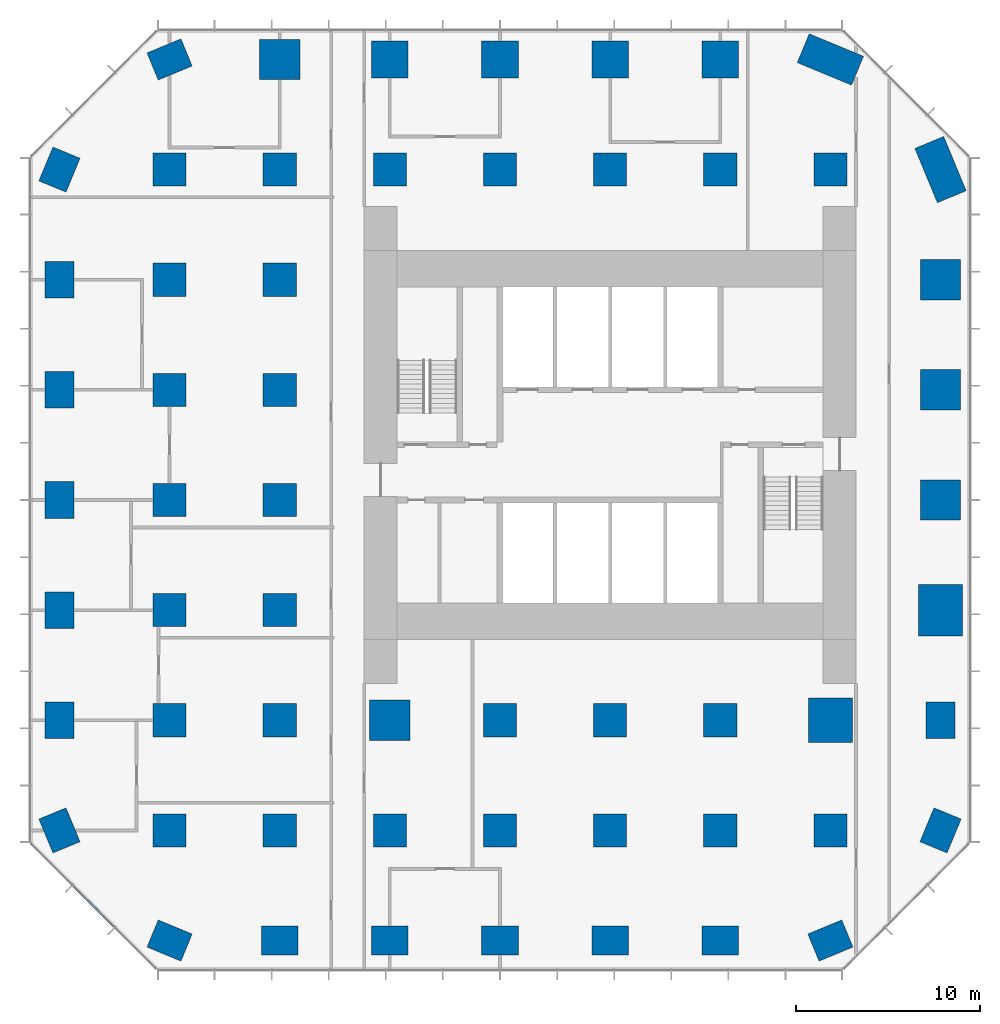
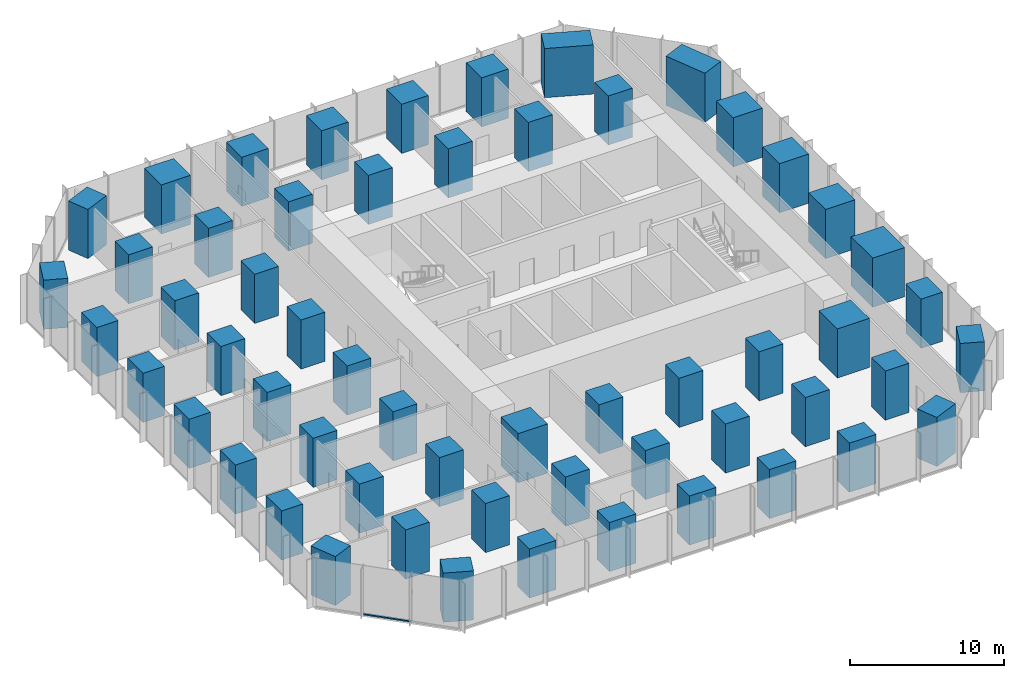
# One storey, part 1 of 11: 57 columns, 1 member, 1 element without a shape of its own.
"""IFC4 building model written with IfcOpenShell, lengths in metres."""

from ifc_helpers import new_model, si_unit, direction, frame, origin, origin_2d, place, context, subcontext, project, spatial, rectangle, extrude, material, layer, layer_set, material_profile, profile_set, type_object, element, aggregate, save


model = new_model("IFC4")

# Units and contexts
model_context = context("Model", 3, precision=1e-05, world=origin(), true_north=direction((0.0, 1.0)))
body_context = subcontext(model_context, "Body", "Model", "MODEL_VIEW")
ifc_project = project(units=[si_unit("LENGTHUNIT", "METRE"), si_unit("AREAUNIT", "SQUARE_METRE"), si_unit("VOLUMEUNIT", "CUBIC_METRE"), si_unit("PLANEANGLEUNIT", "RADIAN"), si_unit("MASSUNIT", "GRAM", prefix="KILO")], contexts=[model_context])

# Site, building, storey
site_placement = place(None, origin())
site = spatial("IfcSite", under=ifc_project, at=site_placement, CompositionType="ELEMENT")
building_placement = place(site_placement, origin())
building = spatial("IfcBuilding", under=site, at=building_placement, Name="Highveld Stack Headquarters", CompositionType="ELEMENT")
storey_placement = place(building_placement, frame((0.0, 0.0, 29.89990234375)))
storey = spatial("IfcBuildingStorey", under=building, at=storey_placement, Name="L06", CompositionType="ELEMENT", Elevation=29.89990234375)

# Columns
ifc_material_1 = material(Name="Concrete C60/75", Category="concrete")
ifc_material_profile_1 = material_profile(ifc_material_1, rectangle(XDim=1.800048828125, YDim=1.800048828125, at=origin_2d()), Name="RC 1800x1800")
ifc_profile_set_1 = profile_set([ifc_material_profile_1], Name="Concrete C60/75")
column_type_1 = type_object("IfcColumnType", Name="COLUMN RC 1800x1800 C60/75", PredefinedType="COLUMN", material=ifc_profile_set_1)
for number, where, z_axis, x_axis, name in (
    (1, (-18.0, -18.0, 0.0), (0.0, 0.0, 1.0), (1.0, 0.0, 0.0), "Column 3/B L06"),
    (2, (-18.0, -12.0, 0.0), (0.0, 0.0, 1.0), (1.0, 0.0, 0.0), "Column 3/C L06"),
    (3, (-18.0, -6.0, 0.0), (0.0, 0.0, 1.0), (1.0, 0.0, 0.0), "Column 3/D L06"),
    (4, (-18.0, 0.0, 0.0), (0.0, 0.0, 1.0), (1.0, 0.0, 0.0), "Column 3/E L06"),
    (5, (-18.0, 6.0, 0.0), (0.0, 0.0, 1.0), (1.0, 0.0, 0.0), "Column 3/F L06"),
    (6, (-18.0, 12.0, 0.0), (0.0, 0.0, 1.0), (1.0, 0.0, 0.0), "Column 3/G L06"),
    (7, (-18.0, 18.0, 0.0), (0.0, 0.0, 1.0), (1.0, 0.0, 0.0), "Column 3/H L06"),
    (8, (-12.0, -18.0, 0.0), (0.0, 0.0, 1.0), (1.0, 0.0, 0.0), "Column 4/B L06"),
    (9, (-12.0, -12.0, 0.0), (0.0, 0.0, 1.0), (1.0, 0.0, 0.0), "Column 4/C L06"),
    (10, (-12.0, -6.0, 0.0), (0.0, 0.0, 1.0), (1.0, 0.0, 0.0), "Column 4/D L06"),
    (11, (-12.0, 0.0, 0.0), (0.0, 0.0, 1.0), (1.0, 0.0, 0.0), "Column 4/E L06"),
    (12, (-12.0, 6.0, 0.0), (0.0, 0.0, 1.0), (1.0, 0.0, 0.0), "Column 4/F L06"),
    (13, (-12.0, 12.0, 0.0), (0.0, 0.0, 1.0), (1.0, 0.0, 0.0), "Column 4/G L06"),
    (14, (-12.0, 18.0, 0.0), (0.0, 0.0, 1.0), (1.0, 0.0, 0.0), "Column 4/H L06"),
    (15, (-6.0, -18.0, 0.0), (0.0, 0.0, 1.0), (1.0, 0.0, 0.0), "Column 5/B L06"),
    (16, (-6.0, 18.0, 0.0), (0.0, 0.0, 1.0), (1.0, 0.0, 0.0), "Column 5/H L06"),
    (17, (0.0, -18.0, 0.0), (0.0, 0.0, 1.0), (1.0, 0.0, 0.0), "Column 6/B L06"),
    (18, (0.0, -12.0, 0.0), (0.0, 0.0, 1.0), (1.0, 0.0, 0.0), "Column 6/C L06"),
    (19, (0.0, 18.0, 0.0), (0.0, 0.0, 1.0), (1.0, 0.0, 0.0), "Column 6/H L06"),
    (20, (6.0, -18.0, 0.0), (0.0, 0.0, 1.0), (1.0, 0.0, 0.0), "Column 7/B L06"),
    (21, (6.0, -12.0, 0.0), (0.0, 0.0, 1.0), (1.0, 0.0, 0.0), "Column 7/C L06"),
    (22, (6.0, 18.0, 0.0), (0.0, 0.0, 1.0), (1.0, 0.0, 0.0), "Column 7/H L06"),
    (23, (12.0, -18.0, 0.0), (0.0, 0.0, 1.0), (1.0, 0.0, 0.0), "Column 8/B L06"),
    (24, (12.0, -12.0, 0.0), (0.0, 0.0, 1.0), (1.0, 0.0, 0.0), "Column 8/C L06"),
    (25, (12.0, 18.0, 0.0), (0.0, 0.0, 1.0), (1.0, 0.0, 0.0), "Column 8/H L06"),
    (26, (18.0, -18.0, 0.0), (0.0, 0.0, 1.0), (1.0, 0.0, 0.0), "Column 9/B L06"),
    (27, (18.0, 18.0, 0.0), (0.0, 0.0, 1.0), (1.0, 0.0, 0.0), "Column 9/H L06"),
):
    element("IfcColumn", number, at=place(storey_placement, frame(where, z_axis=z_axis, x_axis=x_axis)), inside=storey, type_object=column_type_1, Name=name, PredefinedType="COLUMN", context=body_context, shape_type="SweptSolid", body=[
        extrude(rectangle(XDim=1.800048828125, YDim=1.800048828125, at=origin_2d()), origin(), (0.0, 0.0, 1.0), 3.900146484375),
    ])
ifc_material_2 = material(Name="Concrete C60/75", Category="concrete")
ifc_material_profile_2 = material_profile(ifc_material_2, rectangle(XDim=2.0, YDim=1.60009765625, at=origin_2d()), Name="RC 2000x1600")
ifc_profile_set_2 = profile_set([ifc_material_profile_2], Name="Concrete C60/75")
column_type_2 = type_object("IfcColumnType", Name="COLUMN RC 2000x1600 C60/75", PredefinedType="COLUMN", material=ifc_profile_set_2)
for number, where, z_axis, x_axis, name in (
    (28, (-24.0, -18.0, 0.0), (0.0, 0.0, 1.0), (-0.382683432365, 0.923879532511, 0.0), "Column 2/B L06"),
    (29, (-24.0, -12.0, 0.0), (0.0, 0.0, 1.0), (0.0, 1.0, 0.0), "Column 2/C L06"),
    (30, (-24.0, -6.0, 0.0), (0.0, 0.0, 1.0), (0.0, 1.0, 0.0), "Column 2/D L06"),
    (31, (-24.0, 0.0, 0.0), (0.0, 0.0, 1.0), (0.0, 1.0, 0.0), "Column 2/E L06"),
    (32, (-24.0, 6.0, 0.0), (0.0, 0.0, 1.0), (0.0, 1.0, 0.0), "Column 2/F L06"),
    (33, (-24.0, 12.0, 0.0), (0.0, 0.0, 1.0), (0.0, 1.0, 0.0), "Column 2/G L06"),
    (34, (-24.0, 18.0, 0.0), (0.0, 0.0, 1.0), (0.382683432365, 0.923879532511, 0.0), "Column 2/H L06"),
    (35, (-18.0, -24.0, 0.0), (0.0, 0.0, 1.0), (-0.923879532511, 0.382683432365, 0.0), "Column 3/A L06"),
    (36, (-18.0, 24.0, 0.0), (0.0, 0.0, 1.0), (0.923879532511, 0.382683432365, 0.0), "Column 3/J L06"),
    (37, (-12.0, -24.0, 0.0), (0.0, 0.0, 1.0), (1.0, 0.0, 0.0), "Column 4/A L06"),
    (38, (-6.0, -24.0, 0.0), (0.0, 0.0, 1.0), (1.0, 0.0, 0.0), "Column 5/A L06"),
    (39, (0.0, -24.0, 0.0), (0.0, 0.0, 1.0), (1.0, 0.0, 0.0), "Column 6/A L06"),
    (40, (6.0, -24.0, 0.0), (0.0, 0.0, 1.0), (1.0, 0.0, 0.0), "Column 7/A L06"),
    (41, (12.0, -24.0, 0.0), (0.0, 0.0, 1.0), (1.0, 0.0, 0.0), "Column 8/A L06"),
    (42, (18.0, -24.0, 0.0), (0.0, 0.0, 1.0), (-0.923879532511, -0.382683432365, 0.0), "Column 9/A L06"),
    (43, (24.0, -18.0, 0.0), (0.0, 0.0, 1.0), (-0.382683432365, -0.923879532511, 0.0), "Column 10/B L06"),
    (44, (24.0, -12.0, 0.0), (0.0, 0.0, 1.0), (0.0, 1.0, 0.0), "Column 10/C L06"),
):
    element("IfcColumn", number, at=place(storey_placement, frame(where, z_axis=z_axis, x_axis=x_axis)), inside=storey, type_object=column_type_2, Name=name, PredefinedType="COLUMN", context=body_context, shape_type="SweptSolid", body=[
        extrude(rectangle(XDim=2.0, YDim=1.60009765625, at=origin_2d()), origin(), (0.0, 0.0, 1.0), 3.900146484375),
    ])
ifc_material_3 = material(Name="Concrete C60/75", Category="concrete")
ifc_material_profile_3 = material_profile(ifc_material_3, rectangle(XDim=2.0, YDim=2.0, at=origin_2d()), Name="RC 2000x2000")
ifc_profile_set_3 = profile_set([ifc_material_profile_3], Name="Concrete C60/75")
column_type_3 = type_object("IfcColumnType", Name="COLUMN RC 2000x2000 C60/75", PredefinedType="COLUMN", material=ifc_profile_set_3)
for number, where, z_axis, x_axis, name in (
    (45, (-6.0, 24.0, 0.0), (0.0, 0.0, 1.0), (1.0, 0.0, 0.0), "Column 5/J L06"),
    (46, (0.0, 24.0, 0.0), (0.0, 0.0, 1.0), (1.0, 0.0, 0.0), "Column 6/J L06"),
    (47, (6.0, 24.0, 0.0), (0.0, 0.0, 1.0), (1.0, 0.0, 0.0), "Column 7/J L06"),
    (48, (12.0, 24.0, 0.0), (0.0, 0.0, 1.0), (1.0, 0.0, 0.0), "Column 8/J L06"),
):
    element("IfcColumn", number, at=place(storey_placement, frame(where, z_axis=z_axis, x_axis=x_axis)), inside=storey, type_object=column_type_3, Name=name, PredefinedType="COLUMN", context=body_context, shape_type="SweptSolid", body=[
        extrude(rectangle(XDim=2.0, YDim=2.0, at=origin_2d()), origin(), (0.0, 0.0, 1.0), 3.900146484375),
    ])
ifc_material_4 = material(Name="Concrete C60/75", Category="concrete")
ifc_material_profile_4 = material_profile(ifc_material_4, rectangle(XDim=2.199951171875, YDim=2.199951171875, at=origin_2d()), Name="RC 2200x2200")
ifc_profile_set_4 = profile_set([ifc_material_profile_4], Name="Concrete C60/75")
column_type_4 = type_object("IfcColumnType", Name="COLUMN RC 2200x2200 C60/75", PredefinedType="COLUMN", material=ifc_profile_set_4)
for number, where, z_axis, x_axis, name in (
    (49, (-12.0, 24.0, 0.0), (0.0, 0.0, 1.0), (1.0, 0.0, 0.0), "Column 4/J L06"),
    (50, (-6.0, -12.0, 0.0), (0.0, 0.0, 1.0), (1.0, 0.0, 0.0), "Column 5/C L06"),
    (51, (24.0, 0.0, 0.0), (0.0, 0.0, 1.0), (1.0, 0.0, 0.0), "Column 10/E L06"),
    (52, (24.0, 6.0, 0.0), (0.0, 0.0, 1.0), (1.0, 0.0, 0.0), "Column 10/F L06"),
    (53, (24.0, 12.0, 0.0), (0.0, 0.0, 1.0), (1.0, 0.0, 0.0), "Column 10/G L06"),
):
    element("IfcColumn", number, at=place(storey_placement, frame(where, z_axis=z_axis, x_axis=x_axis)), inside=storey, type_object=column_type_4, Name=name, PredefinedType="COLUMN", context=body_context, shape_type="SweptSolid", body=[
        extrude(rectangle(XDim=2.199951171875, YDim=2.199951171875, at=origin_2d()), origin(), (0.0, 0.0, 1.0), 3.900146484375),
    ])
ifc_material_5 = material(Name="Concrete C60/75", Category="concrete")
ifc_material_profile_5 = material_profile(ifc_material_5, rectangle(XDim=2.39990234375, YDim=2.39990234375, at=origin_2d()), Name="RC 2400x2400")
ifc_profile_set_5 = profile_set([ifc_material_profile_5], Name="Concrete C60/75")
column_type_5 = type_object("IfcColumnType", Name="COLUMN RC 2400x2400 C60/75", PredefinedType="COLUMN", material=ifc_profile_set_5)
column_1_placement = place(storey_placement, frame((18.0, -12.0, 0.0), z_axis=(0.0, 0.0, 1.0), x_axis=(1.0, 0.0, 0.0)))
element("IfcColumn", 54, at=column_1_placement, inside=storey, type_object=column_type_5, Name="Column 9/C L06", PredefinedType="COLUMN", context=body_context, shape_type="SweptSolid", body=[
    extrude(rectangle(XDim=2.39990234375, YDim=2.39990234375, at=origin_2d()), origin(), (0.0, 0.0, 1.0), 3.900146484375),
])
ifc_material_6 = material(Name="Concrete C60/75", Category="concrete")
ifc_material_profile_6 = material_profile(ifc_material_6, rectangle(XDim=2.800048828125, YDim=2.39990234375, at=origin_2d()), Name="RC 2800x2400")
ifc_profile_set_6 = profile_set([ifc_material_profile_6], Name="Concrete C60/75")
column_type_6 = type_object("IfcColumnType", Name="COLUMN RC 2800x2400 C60/75", PredefinedType="COLUMN", material=ifc_profile_set_6)
column_2_placement = place(storey_placement, frame((24.0, -6.0, 0.0), z_axis=(0.0, 0.0, 1.0), x_axis=(0.0, 1.0, 0.0)))
element("IfcColumn", 55, at=column_2_placement, inside=storey, type_object=column_type_6, Name="Column 10/D L06", PredefinedType="COLUMN", context=body_context, shape_type="SweptSolid", body=[
    extrude(rectangle(XDim=2.800048828125, YDim=2.39990234375, at=origin_2d()), origin(), (0.0, 0.0, 1.0), 3.900146484375),
])
ifc_material_7 = material(Name="Concrete C60/75", Category="concrete")
ifc_material_profile_7 = material_profile(ifc_material_7, rectangle(XDim=3.199951171875, YDim=1.699951171875, at=origin_2d()), Name="RC 3200x1700")
ifc_profile_set_7 = profile_set([ifc_material_profile_7], Name="Concrete C60/75")
column_type_7 = type_object("IfcColumnType", Name="COLUMN RC 3200x1700 C60/75", PredefinedType="COLUMN", material=ifc_profile_set_7)
for number, where, z_axis, x_axis, name in (
    (56, (18.0, 24.0, 0.0), (0.0, 0.0, 1.0), (0.923879532511, -0.382683432365, 0.0), "Column 9/J L06"),
    (57, (24.0, 18.0, 0.0), (0.0, 0.0, 1.0), (0.382683432365, -0.923879532511, 0.0), "Column 10/H L06"),
):
    element("IfcColumn", number, at=place(storey_placement, frame(where, z_axis=z_axis, x_axis=x_axis)), inside=storey, type_object=column_type_7, Name=name, PredefinedType="COLUMN", context=body_context, shape_type="SweptSolid", body=[
        extrude(rectangle(XDim=3.199951171875, YDim=1.699951171875, at=origin_2d()), origin(), (0.0, 0.0, 1.0), 3.900146484375),
    ])

# Curtain wall, member
ifc_material_8 = material(Name="Aluminium bronze anodised", Category="aluminium")
ifc_layer = layer(ifc_material_8, 0.199951171875)
ifc_layer_set = layer_set([ifc_layer], Name="Aluminium bronze anodised")
curtain_wall_type = type_object("IfcCurtainWallType", Name="CW2 TOWER CHAMFER UNITISED CURTAIN WALL", PredefinedType="NOTDEFINED", material=ifc_layer_set)
curtain_wall_placement = place(storey_placement, origin())
curtain_wall = element("IfcCurtainWall", 58, at=curtain_wall_placement, inside=storey, type_object=curtain_wall_type, Name="Curtain wall CW2 L06 SW", PredefinedType="NOTDEFINED")
ifc_material_9 = material(Name="Aluminium bronze anodised", Category="aluminium")
ifc_material_profile_8 = material_profile(ifc_material_9, rectangle(XDim=0.14990234375, YDim=0.10009765625, at=origin_2d()), Name="CW2 TRANSOM 150x100")
ifc_profile_set_8 = profile_set([ifc_material_profile_8], Name="Aluminium bronze anodised")
member_type = type_object("IfcMemberType", Name="CW2 STACK TRANSOM 150x100", PredefinedType="USERDEFINED", material=ifc_profile_set_8)
member_placement = place(storey_placement, frame((-23.2646484375, -20.998046875, 0.050048828125), z_axis=(0.707106781187, -0.707106781187, 0.0), x_axis=(0.707106781187, 0.707106781187, 0.0)))
member = element("IfcMember", 59, at=member_placement, type_object=member_type, Name="CW2 transom L06 2.1", ObjectType="TRANSOM", PredefinedType="USERDEFINED", context=body_context, shape_type="SweptSolid", body=[
    extrude(rectangle(XDim=0.14990234375, YDim=0.10009765625, at=origin_2d()), origin(), (0.0, 0.0, 1.0), 3.20556640625),
])
aggregate(curtain_wall, [member])

save(model, "model.ifc")
